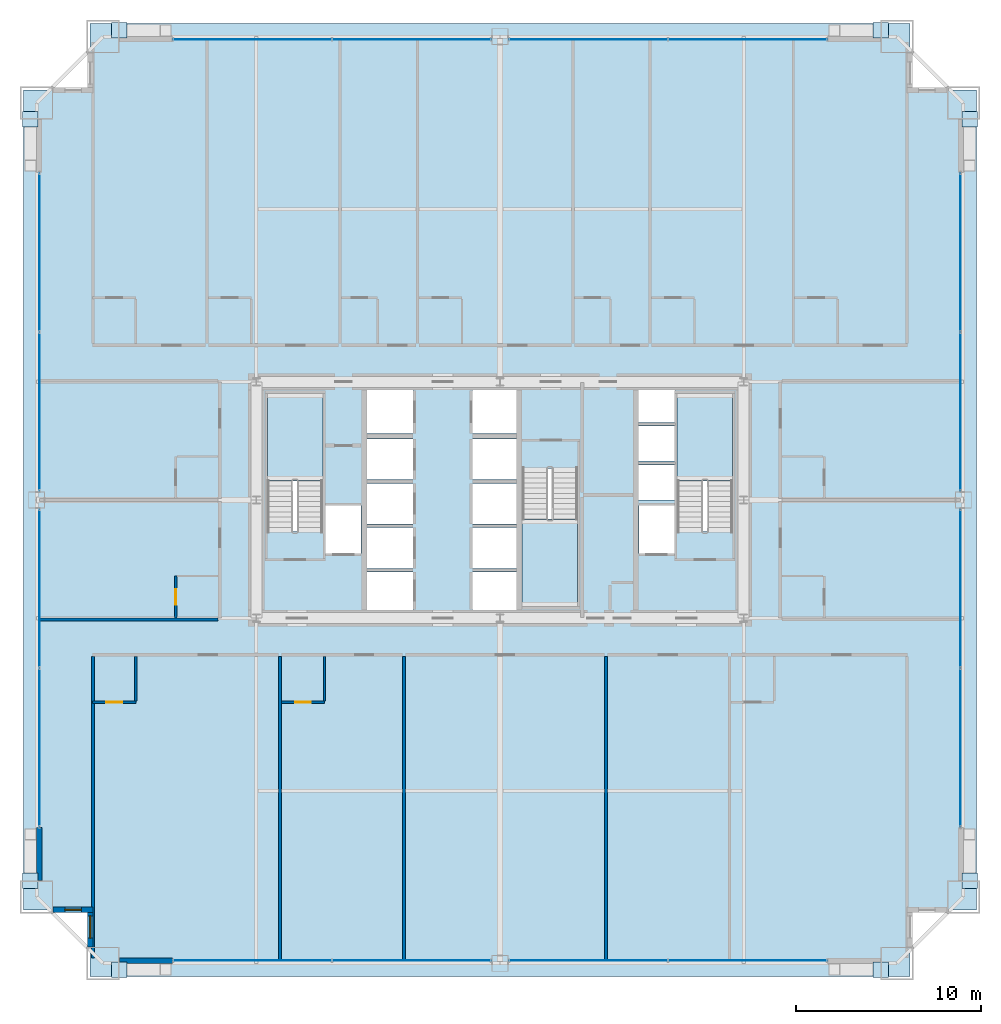
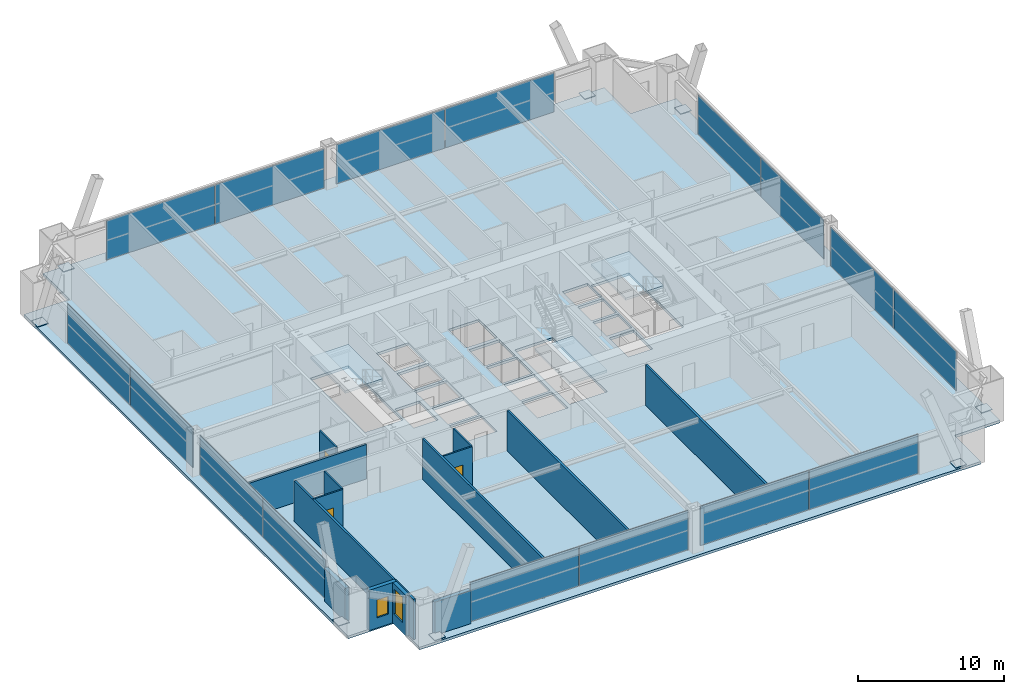
# One storey, part 38 of 43: 24 plates, 14 walls, 4 slabs, 3 doors, 2 windows, 5 openings, 11 elements without a shape of their own.
"""IFC4 building model written with IfcOpenShell, lengths in metres."""

from ifc_helpers import new_model, si_unit, direction, frame, frame_2d, origin, origin_2d, place, context, subcontext, project, spatial, polyline, rectangle, outline, extrude, source, transform, mapped, material, layer, layer_set, type_object, element, fill, aggregate, save


model = new_model("IFC4")

# Units and contexts
model_context = context("Model", 3, precision=1e-05, world=origin(), true_north=direction((0.0, 1.0)))
body_context = subcontext(model_context, "Body", "Model", "MODEL_VIEW")
ifc_project = project(units=[si_unit("LENGTHUNIT", "METRE"), si_unit("AREAUNIT", "SQUARE_METRE"), si_unit("VOLUMEUNIT", "CUBIC_METRE"), si_unit("PLANEANGLEUNIT", "RADIAN"), si_unit("MASSUNIT", "GRAM", prefix="KILO"), si_unit("THERMODYNAMICTEMPERATUREUNIT", "KELVIN"), si_unit("POWERUNIT", "WATT")], contexts=[model_context])

# Site, building, storey
site_placement = place(None, origin())
site = spatial("IfcSite", under=ifc_project, at=site_placement, CompositionType="ELEMENT")
building_placement = place(site_placement, origin())
building = spatial("IfcBuilding", under=site, at=building_placement, Name="Yuzanri Waterfront Tower", CompositionType="ELEMENT")
storey_placement = place(building_placement, frame((0.0, 0.0, 46.0)))
storey = spatial("IfcBuildingStorey", under=building, at=storey_placement, Name="L11", CompositionType="ELEMENT", Elevation=46.0)

# Stair, slab
ifc_material_1 = material(Name="Concrete C40", Category="concrete")
stair_type = type_object("IfcStairType", Name="Concrete C40 Core Dogleg Exit Stair", PredefinedType="HALF_TURN_STAIR", material=ifc_material_1)
stair_1_placement = place(storey_placement, origin())
stair_1 = element("IfcStair", 1, at=stair_1_placement, inside=storey, type_object=stair_type, Name="L11 Smoke-Proof Core Stair ST-01", PredefinedType="HALF_TURN_STAIR")
ifc_material_2 = material(Name="Concrete C40", Category="concrete")
ifc_layer_1 = layer(ifc_material_2, 0.179931640625)
ifc_layer_set_1 = layer_set([ifc_layer_1], Name="Concrete C40")
slab_type_1 = type_object("IfcSlabType", Name="Concrete C40 Stair Half-Landing Slab 180", PredefinedType="LANDING", material=ifc_layer_set_1)
slab_1_placement = place(storey_placement, frame((0.0, 0.0, 1.60009765625)))
slab_1 = element("IfcSlab", 2, at=slab_1_placement, type_object=slab_type_1, Name="ST-01 landing 1", PredefinedType="LANDING", context=body_context, shape_type="SweptSolid", body=[
    extrude(outline(polyline([(27.39990234375, 26.840087890625), (27.39990234375, 31.580078125), (24.39990234375, 31.580078125), (24.39990234375, 26.840087890625), (27.39990234375, 26.840087890625)])), origin(), (0.0, 0.0, 1.0), 0.199951171875),
])
aggregate(stair_1, [slab_1])

stair_2_placement = place(storey_placement, origin())
stair_2 = element("IfcStair", 3, at=stair_2_placement, inside=storey, type_object=stair_type, Name="L11 Smoke-Proof Core Stair ST-02", PredefinedType="HALF_TURN_STAIR")
slab_2_placement = place(storey_placement, frame((0.0, 0.0, 1.60009765625)))
slab_2 = element("IfcSlab", 4, at=slab_2_placement, type_object=slab_type_1, Name="ST-02 landing 1", PredefinedType="LANDING", context=body_context, shape_type="SweptSolid", body=[
    extrude(outline(polyline([(49.60009765625, 26.840087890625), (49.60009765625, 31.580078125), (46.60009765625, 31.580078125), (46.60009765625, 26.840087890625), (49.60009765625, 26.840087890625)])), origin(), (0.0, 0.0, 1.0), 0.199951171875),
])
aggregate(stair_2, [slab_2])

stair_3_placement = place(storey_placement, origin())
stair_3 = element("IfcStair", 5, at=stair_3_placement, inside=storey, type_object=stair_type, Name="L11 Smoke-Proof Core Stair ST-03", PredefinedType="HALF_TURN_STAIR")
slab_3_placement = place(storey_placement, frame((0.0, 0.0, 1.60009765625)))
slab_3 = element("IfcSlab", 6, at=slab_3_placement, type_object=slab_type_1, Name="ST-03 landing 1", PredefinedType="LANDING", context=body_context, shape_type="SweptSolid", body=[
    extrude(outline(polyline([(38.199951171875, 24.760009765625), (38.199951171875, 20.02001953125), (41.199951171875, 20.02001953125), (41.199951171875, 24.760009765625), (38.199951171875, 24.760009765625)])), origin(), (0.0, 0.0, 1.0), 0.199951171875),
])
aggregate(stair_3, [slab_3])

# Slab
ifc_material_3 = material(Name="Concrete C40", Category="concrete")
ifc_layer_2 = layer(ifc_material_3, 0.219970703125)
ifc_layer_set_2 = layer_set([ifc_layer_2], Name="Concrete C40")
slab_type_2 = type_object("IfcSlabType", Name="Concrete C40 Tower Typical Structural Floor Slab 220", PredefinedType="FLOOR", material=ifc_layer_set_2)
slab_4_placement = place(storey_placement, frame((0.0, 0.0, -0.219970703125)))
element("IfcSlab", 7, at=slab_4_placement, inside=storey, type_object=slab_type_2, Name="L11 Main Structural Floor Slab", PredefinedType="FLOOR", context=body_context, shape_type="SweptSolid", body=[
    extrude(outline(polyline([(14.800048828125, 0.0), (59.199951171875, 0.0), (59.199951171875, 3.60009765625), (62.800048828125, 3.60009765625), (62.800048828125, 48.0), (59.199951171875, 48.0), (59.199951171875, 51.60009765625), (14.800048828125, 51.60009765625), (14.800048828125, 48.0), (11.199951171875, 48.0), (11.199951171875, 3.60009765625), (14.800048828125, 3.60009765625), (14.800048828125, 0.0)]), holes=[polyline([(27.39990234375, 24.10009765625), (27.39990234375, 31.580078125), (24.39990234375, 31.580078125), (24.39990234375, 24.10009765625), (27.39990234375, 24.10009765625)]), polyline([(49.60009765625, 24.10009765625), (49.60009765625, 31.580078125), (46.60009765625, 31.580078125), (46.60009765625, 24.10009765625), (49.60009765625, 24.10009765625)]), polyline([(38.199951171875, 27.5), (38.199951171875, 20.02001953125), (41.199951171875, 20.02001953125), (41.199951171875, 27.5), (38.199951171875, 27.5)]), polyline([(27.56005859375, 22.89990234375), (29.47998046875, 22.89990234375), (29.47998046875, 25.5), (27.56005859375, 25.5), (27.56005859375, 22.89990234375)]), polyline([(44.52001953125, 22.89990234375), (46.43994140625, 22.89990234375), (46.43994140625, 25.5), (44.52001953125, 25.5), (44.52001953125, 22.89990234375)]), polyline([(29.800048828125, 19.699951171875), (32.300048828125, 19.699951171875), (32.300048828125, 21.89990234375), (29.800048828125, 21.89990234375), (29.800048828125, 19.699951171875)]), polyline([(29.800048828125, 22.10009765625), (32.300048828125, 22.10009765625), (32.300048828125, 24.300048828125), (29.800048828125, 24.300048828125), (29.800048828125, 22.10009765625)]), polyline([(29.800048828125, 24.5), (32.300048828125, 24.5), (32.300048828125, 26.699951171875), (29.800048828125, 26.699951171875), (29.800048828125, 24.5)]), polyline([(29.800048828125, 26.89990234375), (32.300048828125, 26.89990234375), (32.300048828125, 29.10009765625), (29.800048828125, 29.10009765625), (29.800048828125, 26.89990234375)]), polyline([(29.800048828125, 29.39990234375), (32.300048828125, 29.39990234375), (32.300048828125, 31.89990234375), (29.800048828125, 31.89990234375), (29.800048828125, 29.39990234375)]), polyline([(35.5, 19.699951171875), (37.89990234375, 19.699951171875), (37.89990234375, 21.89990234375), (35.5, 21.89990234375), (35.5, 19.699951171875)]), polyline([(35.5, 22.10009765625), (37.89990234375, 22.10009765625), (37.89990234375, 24.300048828125), (35.5, 24.300048828125), (35.5, 22.10009765625)]), polyline([(35.5, 24.5), (37.89990234375, 24.5), (37.89990234375, 26.699951171875), (35.5, 26.699951171875), (35.5, 24.5)]), polyline([(35.5, 26.89990234375), (37.89990234375, 26.89990234375), (37.89990234375, 29.10009765625), (35.5, 29.10009765625), (35.5, 26.89990234375)]), polyline([(35.5, 29.39990234375), (37.89990234375, 29.39990234375), (37.89990234375, 31.89990234375), (35.5, 31.89990234375), (35.5, 29.39990234375)]), polyline([(44.5, 25.800048828125), (46.5, 25.800048828125), (46.5, 27.699951171875), (44.5, 27.699951171875), (44.5, 25.800048828125)]), polyline([(44.5, 27.89990234375), (46.5, 27.89990234375), (46.5, 29.800048828125), (44.5, 29.800048828125), (44.5, 27.89990234375)]), polyline([(44.5, 30.0), (46.5, 30.0), (46.5, 31.89990234375), (44.5, 31.89990234375), (44.5, 30.0)])]), origin(), (0.0, 0.0, 1.0), 0.219970703125),
])

# Plates
ifc_material_4 = material(Name="Steel Q420GJC", Category="steel")
ifc_layer_3 = layer(ifc_material_4, 0.0400390625)
ifc_layer_set_3 = layer_set([ifc_layer_3], Name="Steel Q420GJC")
plate_type_1 = type_object("IfcPlateType", Name="Steel Q420GJC Mega-Brace Gusset and End-Cap Plate 40", PredefinedType="SHEET", material=ifc_layer_set_3)
shared_shape_1 = source(origin(), body_context, "Body", "SweptSolid", [
    extrude(rectangle(XDim=0.85009765625, YDim=0.85009765625, at=origin_2d()), origin(), (0.0, 0.0, 1.0), 0.0400390625),
])
for number, where, z_axis, x_axis, name in (
    (8, (16.3798828125, 0.360107421875, 0.159912109375), (0.0, 0.0, 1.0), (1.0, 0.0, 0.0), "L11 Mega-Brace Foot Cap Plate S-L"),
    (9, (57.6201171875, 0.360107421875, 0.159912109375), (0.0, 0.0, 1.0), (1.0, 0.0, 0.0), "L11 Mega-Brace Foot Cap Plate S-R"),
    (10, (16.3798828125, 51.239990234375, 0.159912109375), (0.0, 0.0, 1.0), (1.0, 0.0, 0.0), "L11 Mega-Brace Foot Cap Plate N-L"),
    (11, (57.6201171875, 51.239990234375, 0.159912109375), (0.0, 0.0, 1.0), (1.0, 0.0, 0.0), "L11 Mega-Brace Foot Cap Plate N-R"),
    (12, (11.56005859375, 5.179931640625, 0.159912109375), (0.0, 0.0, 1.0), (1.0, 0.0, 0.0), "L11 Mega-Brace Foot Cap Plate W-L"),
    (13, (11.56005859375, 46.419921875, 0.159912109375), (0.0, 0.0, 1.0), (1.0, 0.0, 0.0), "L11 Mega-Brace Foot Cap Plate W-R"),
    (14, (62.43994140625, 5.179931640625, 0.159912109375), (0.0, 0.0, 1.0), (1.0, 0.0, 0.0), "L11 Mega-Brace Foot Cap Plate E-L"),
    (15, (62.43994140625, 46.419921875, 0.159912109375), (0.0, 0.0, 1.0), (1.0, 0.0, 0.0), "L11 Mega-Brace Foot Cap Plate E-R"),
):
    element("IfcPlate", number, at=place(storey_placement, frame(where, z_axis=z_axis, x_axis=x_axis)), inside=storey, type_object=plate_type_1, Name=name, PredefinedType="SHEET", context=body_context, shape_type="MappedRepresentation", body=[
        mapped(shared_shape_1, transform((0.0, 0.0, 0.0), scale=1.0)),
    ])

# Curtain wall, plates
ifc_material_5 = material(Name="Anodized Architectural Bronze", Category="metal")
ifc_layer_4 = layer(ifc_material_5, 0.159912109375)
ifc_layer_set_4 = layer_set([ifc_layer_4], Name="Anodized Architectural Bronze")
curtain_wall_type = type_object("IfcCurtainWallType", Name="Anodized Bronze Hotel Lower-Tier Recessed Unitized Curtain Wall 8100", PredefinedType="NOTDEFINED", material=ifc_layer_set_4)
curtain_wall_1_placement = place(storey_placement, origin())
curtain_wall_1 = element("IfcCurtainWall", 16, at=curtain_wall_1_placement, inside=storey, type_object=curtain_wall_type, Name="L11 Curtain Wall CW-L11-SL", PredefinedType="NOTDEFINED")
ifc_material_6 = material(Name="Double-Silver Low-E Insulated Glass", Category="glass")
ifc_layer_5 = layer(ifc_material_6, 0.035888671875)
ifc_layer_set_5 = layer_set([ifc_layer_5], Name="Double-Silver Low-E Insulated Glass")
plate_type_2 = type_object("IfcPlateType", Name="Double Silver Low-E Insulated Vision Glass Panel 36", PredefinedType="CURTAIN_PANEL", material=ifc_layer_set_5)
shared_shape_2 = source(origin(), body_context, "Body", "SweptSolid", [
    extrude(rectangle(XDim=8.570068359375, YDim=0.035888671875, at=origin_2d()), origin(), (0.0, 0.0, 1.0), 3.280029296875),
])
plate_1_placement = place(storey_placement, frame((23.574951171875, 0.85009765625, 0.0498046875), z_axis=(0.0, 0.0, 1.0), x_axis=(1.0, 0.0, 0.0)))
plate_1 = element("IfcPlate", 17, at=plate_1_placement, type_object=plate_type_2, Name="CW-L11-SL Vision Glass Panel 01", PredefinedType="CURTAIN_PANEL", context=body_context, shape_type="MappedRepresentation", body=[
    mapped(shared_shape_2, transform((0.0, 0.0, 0.0), scale=1.0)),
])
plate_2_placement = place(storey_placement, frame((32.22509765625, 0.85009765625, 0.0498046875), z_axis=(0.0, 0.0, 1.0), x_axis=(1.0, 0.0, 0.0)))
plate_2 = element("IfcPlate", 18, at=plate_2_placement, type_object=plate_type_2, Name="CW-L11-SL Vision Glass Panel 02", PredefinedType="CURTAIN_PANEL", context=body_context, shape_type="MappedRepresentation", body=[
    mapped(shared_shape_2, transform((0.0, 0.0, 0.0), scale=1.0)),
])
aggregate(curtain_wall_1, [plate_1, plate_2])

curtain_wall_2_placement = place(storey_placement, origin())
curtain_wall_2 = element("IfcCurtainWall", 19, at=curtain_wall_2_placement, inside=storey, type_object=curtain_wall_type, Name="L11 Curtain Wall CW-L11-SR", PredefinedType="NOTDEFINED")
plate_3_placement = place(storey_placement, frame((41.77490234375, 0.85009765625, 0.0498046875), z_axis=(0.0, 0.0, 1.0), x_axis=(1.0, 0.0, 0.0)))
plate_3 = element("IfcPlate", 20, at=plate_3_placement, type_object=plate_type_2, Name="CW-L11-SR Vision Glass Panel 01", PredefinedType="CURTAIN_PANEL", context=body_context, shape_type="MappedRepresentation", body=[
    mapped(shared_shape_2, transform((0.0, 0.0, 0.0), scale=1.0)),
])
plate_4_placement = place(storey_placement, frame((50.425048828125, 0.85009765625, 0.0498046875), z_axis=(0.0, 0.0, 1.0), x_axis=(1.0, 0.0, 0.0)))
plate_4 = element("IfcPlate", 21, at=plate_4_placement, type_object=plate_type_2, Name="CW-L11-SR Vision Glass Panel 02", PredefinedType="CURTAIN_PANEL", context=body_context, shape_type="MappedRepresentation", body=[
    mapped(shared_shape_2, transform((0.0, 0.0, 0.0), scale=1.0)),
])
aggregate(curtain_wall_2, [plate_3, plate_4])

curtain_wall_3_placement = place(storey_placement, origin())
curtain_wall_3 = element("IfcCurtainWall", 22, at=curtain_wall_3_placement, inside=storey, type_object=curtain_wall_type, Name="L11 Curtain Wall CW-L11-NL", PredefinedType="NOTDEFINED")
plate_5_placement = place(storey_placement, frame((23.574951171875, 50.75, 0.0498046875), z_axis=(0.0, 0.0, 1.0), x_axis=(1.0, 0.0, 0.0)))
plate_5 = element("IfcPlate", 23, at=plate_5_placement, type_object=plate_type_2, Name="CW-L11-NL Vision Glass Panel 01", PredefinedType="CURTAIN_PANEL", context=body_context, shape_type="MappedRepresentation", body=[
    mapped(shared_shape_2, transform((0.0, 0.0, 0.0), scale=1.0)),
])
plate_6_placement = place(storey_placement, frame((32.22509765625, 50.75, 0.0498046875), z_axis=(0.0, 0.0, 1.0), x_axis=(1.0, 0.0, 0.0)))
plate_6 = element("IfcPlate", 24, at=plate_6_placement, type_object=plate_type_2, Name="CW-L11-NL Vision Glass Panel 02", PredefinedType="CURTAIN_PANEL", context=body_context, shape_type="MappedRepresentation", body=[
    mapped(shared_shape_2, transform((0.0, 0.0, 0.0), scale=1.0)),
])
aggregate(curtain_wall_3, [plate_5, plate_6])

curtain_wall_4_placement = place(storey_placement, origin())
curtain_wall_4 = element("IfcCurtainWall", 25, at=curtain_wall_4_placement, inside=storey, type_object=curtain_wall_type, Name="L11 Curtain Wall CW-L11-NR", PredefinedType="NOTDEFINED")
plate_7_placement = place(storey_placement, frame((41.77490234375, 50.75, 0.0498046875), z_axis=(0.0, 0.0, 1.0), x_axis=(1.0, 0.0, 0.0)))
plate_7 = element("IfcPlate", 26, at=plate_7_placement, type_object=plate_type_2, Name="CW-L11-NR Vision Glass Panel 01", PredefinedType="CURTAIN_PANEL", context=body_context, shape_type="MappedRepresentation", body=[
    mapped(shared_shape_2, transform((0.0, 0.0, 0.0), scale=1.0)),
])
plate_8_placement = place(storey_placement, frame((50.425048828125, 50.75, 0.0498046875), z_axis=(0.0, 0.0, 1.0), x_axis=(1.0, 0.0, 0.0)))
plate_8 = element("IfcPlate", 27, at=plate_8_placement, type_object=plate_type_2, Name="CW-L11-NR Vision Glass Panel 02", PredefinedType="CURTAIN_PANEL", context=body_context, shape_type="MappedRepresentation", body=[
    mapped(shared_shape_2, transform((0.0, 0.0, 0.0), scale=1.0)),
])
aggregate(curtain_wall_4, [plate_7, plate_8])

curtain_wall_5_placement = place(storey_placement, origin())
curtain_wall_5 = element("IfcCurtainWall", 28, at=curtain_wall_5_placement, inside=storey, type_object=curtain_wall_type, Name="L11 Curtain Wall CW-L11-WL", PredefinedType="NOTDEFINED")
plate_9_placement = place(storey_placement, frame((12.050048828125, 12.375, 0.0498046875), z_axis=(0.0, 0.0, 1.0), x_axis=(0.0, 1.0, 0.0)))
plate_9 = element("IfcPlate", 29, at=plate_9_placement, type_object=plate_type_2, Name="CW-L11-WL Vision Glass Panel 01", PredefinedType="CURTAIN_PANEL", context=body_context, shape_type="MappedRepresentation", body=[
    mapped(shared_shape_2, transform((0.0, 0.0, 0.0), scale=1.0)),
])
plate_10_placement = place(storey_placement, frame((12.050048828125, 21.02490234375, 0.0498046875), z_axis=(0.0, 0.0, 1.0), x_axis=(0.0, 1.0, 0.0)))
plate_10 = element("IfcPlate", 30, at=plate_10_placement, type_object=plate_type_2, Name="CW-L11-WL Vision Glass Panel 02", PredefinedType="CURTAIN_PANEL", context=body_context, shape_type="MappedRepresentation", body=[
    mapped(shared_shape_2, transform((0.0, 0.0, 0.0), scale=1.0)),
])
aggregate(curtain_wall_5, [plate_9, plate_10])

curtain_wall_6_placement = place(storey_placement, origin())
curtain_wall_6 = element("IfcCurtainWall", 31, at=curtain_wall_6_placement, inside=storey, type_object=curtain_wall_type, Name="L11 Curtain Wall CW-L11-WR", PredefinedType="NOTDEFINED")
plate_11_placement = place(storey_placement, frame((12.050048828125, 30.574951171875, 0.0498046875), z_axis=(0.0, 0.0, 1.0), x_axis=(0.0, 1.0, 0.0)))
plate_11 = element("IfcPlate", 32, at=plate_11_placement, type_object=plate_type_2, Name="CW-L11-WR Vision Glass Panel 01", PredefinedType="CURTAIN_PANEL", context=body_context, shape_type="MappedRepresentation", body=[
    mapped(shared_shape_2, transform((0.0, 0.0, 0.0), scale=1.0)),
])
plate_12_placement = place(storey_placement, frame((12.050048828125, 39.22509765625, 0.0498046875), z_axis=(0.0, 0.0, 1.0), x_axis=(0.0, 1.0, 0.0)))
plate_12 = element("IfcPlate", 33, at=plate_12_placement, type_object=plate_type_2, Name="CW-L11-WR Vision Glass Panel 02", PredefinedType="CURTAIN_PANEL", context=body_context, shape_type="MappedRepresentation", body=[
    mapped(shared_shape_2, transform((0.0, 0.0, 0.0), scale=1.0)),
])
aggregate(curtain_wall_6, [plate_11, plate_12])

curtain_wall_7_placement = place(storey_placement, origin())
curtain_wall_7 = element("IfcCurtainWall", 34, at=curtain_wall_7_placement, inside=storey, type_object=curtain_wall_type, Name="L11 Curtain Wall CW-L11-EL", PredefinedType="NOTDEFINED")
plate_13_placement = place(storey_placement, frame((61.949951171875, 12.375, 0.0498046875), z_axis=(0.0, 0.0, 1.0), x_axis=(0.0, 1.0, 0.0)))
plate_13 = element("IfcPlate", 35, at=plate_13_placement, type_object=plate_type_2, Name="CW-L11-EL Vision Glass Panel 01", PredefinedType="CURTAIN_PANEL", context=body_context, shape_type="MappedRepresentation", body=[
    mapped(shared_shape_2, transform((0.0, 0.0, 0.0), scale=1.0)),
])
plate_14_placement = place(storey_placement, frame((61.949951171875, 21.02490234375, 0.0498046875), z_axis=(0.0, 0.0, 1.0), x_axis=(0.0, 1.0, 0.0)))
plate_14 = element("IfcPlate", 36, at=plate_14_placement, type_object=plate_type_2, Name="CW-L11-EL Vision Glass Panel 02", PredefinedType="CURTAIN_PANEL", context=body_context, shape_type="MappedRepresentation", body=[
    mapped(shared_shape_2, transform((0.0, 0.0, 0.0), scale=1.0)),
])
aggregate(curtain_wall_7, [plate_13, plate_14])

curtain_wall_8_placement = place(storey_placement, origin())
curtain_wall_8 = element("IfcCurtainWall", 37, at=curtain_wall_8_placement, inside=storey, type_object=curtain_wall_type, Name="L11 Curtain Wall CW-L11-ER", PredefinedType="NOTDEFINED")
plate_15_placement = place(storey_placement, frame((61.949951171875, 30.574951171875, 0.0498046875), z_axis=(0.0, 0.0, 1.0), x_axis=(0.0, 1.0, 0.0)))
plate_15 = element("IfcPlate", 38, at=plate_15_placement, type_object=plate_type_2, Name="CW-L11-ER Vision Glass Panel 01", PredefinedType="CURTAIN_PANEL", context=body_context, shape_type="MappedRepresentation", body=[
    mapped(shared_shape_2, transform((0.0, 0.0, 0.0), scale=1.0)),
])
plate_16_placement = place(storey_placement, frame((61.949951171875, 39.22509765625, 0.0498046875), z_axis=(0.0, 0.0, 1.0), x_axis=(0.0, 1.0, 0.0)))
plate_16 = element("IfcPlate", 39, at=plate_16_placement, type_object=plate_type_2, Name="CW-L11-ER Vision Glass Panel 02", PredefinedType="CURTAIN_PANEL", context=body_context, shape_type="MappedRepresentation", body=[
    mapped(shared_shape_2, transform((0.0, 0.0, 0.0), scale=1.0)),
])
aggregate(curtain_wall_8, [plate_15, plate_16])

# Wall, opening, door
ifc_material_7 = material(Name="Moisture-Resistant Gypsum Stud Wall", Category="gypsum")
ifc_layer_6 = layer(ifc_material_7, 0.1201171875)
ifc_layer_set_6 = layer_set([ifc_layer_6], Name="Moisture-Resistant Gypsum Stud Wall")
wall_type_1 = type_object("IfcWallType", Name="Bathroom and Kitchen Wet Partition 120", PredefinedType="PARTITIONING", material=ifc_layer_set_6)
wall_1_placement = place(storey_placement, frame((14.93994140625, 14.840087890625, 0.0), z_axis=(0.0, 0.0, 1.0), x_axis=(1.0, 0.0, 0.0)))
wall_1 = element("IfcWall", 40, at=wall_1_placement, inside=storey, type_object=wall_type_1, Name="L11 Partition UW-L11-S1-BS", PredefinedType="PARTITIONING", context=body_context, shape_type="SweptSolid", body=[
    extrude(rectangle(XDim=2.330078125, YDim=0.1201171875, at=frame_2d((1.1650390625, 0.0))), origin(), (0.0, 0.0, 1.0), 3.3798828125),
])
opening_1_placement = place(wall_1_placement, frame((0.739990234375, 0.0, 0.0)))
opening_1 = element("IfcOpeningElement", 41, at=opening_1_placement, cuts=wall_1, Name="Opening ID-0850", PredefinedType="OPENING", context=body_context, shape_type="SweptSolid", body=[
    extrude(rectangle(XDim=0.85009765625, YDim=2.10009765625, at=frame_2d((0.425048828125, 1.050048828125))), frame((0.0, 0.074951171875, 0.0), z_axis=(0.0, -1.0, 0.0), x_axis=(1.0, 0.0, 0.0)), (0.0, 0.0, 1.0), 0.14990234375),
])
ifc_material_8 = material(Name="Moisture-Resistant Lacquered Timber", Category="wood")
door_type = type_object("IfcDoorType", Name="En-Suite Bathroom and Kitchen Swing Door 850x2100", OperationType="NOTDEFINED", PredefinedType="DOOR", material=ifc_material_8)
shared_shape_3 = source(origin(), body_context, "Body", "SweptSolid", [
    extrude(rectangle(XDim=0.85009765625, YDim=2.10009765625, at=frame_2d((0.425048828125, 1.050048828125))), frame((0.0, 0.02490234375, 0.0), z_axis=(0.0, -1.0, 0.0), x_axis=(1.0, 0.0, 0.0)), (0.0, 0.0, 1.0), 0.050048828125),
])
door_1_placement = place(opening_1_placement, origin())
door_1 = element("IfcDoor", 42, at=door_1_placement, inside=storey, type_object=door_type, Name="L11 Guest En-Suite Door", OperationType="SINGLE_SWING_LEFT", OverallHeight=2.10009765625, OverallWidth=0.85009765625, PredefinedType="DOOR", context=body_context, shape_type="MappedRepresentation", body=[
    mapped(shared_shape_3, transform((0.0, 0.0, 0.0), scale=1.0)),
])
fill(opening_1, door_1)

wall_2_placement = place(storey_placement, frame((25.16796875, 14.840087890625, 0.0), z_axis=(0.0, 0.0, 1.0), x_axis=(1.0, 0.0, 0.0)))
wall_2 = element("IfcWall", 43, at=wall_2_placement, inside=storey, type_object=wall_type_1, Name="L11 Partition UW-L11-S2-BS", PredefinedType="PARTITIONING", context=body_context, shape_type="SweptSolid", body=[
    extrude(rectangle(XDim=2.330078125, YDim=0.1201171875, at=frame_2d((1.1650390625, 0.0))), origin(), (0.0, 0.0, 1.0), 3.3798828125),
])
opening_2_placement = place(wall_2_placement, frame((0.739990234375, 0.0, 0.0)))
opening_2 = element("IfcOpeningElement", 44, at=opening_2_placement, cuts=wall_2, Name="Opening ID-0850", PredefinedType="OPENING", context=body_context, shape_type="SweptSolid", body=[
    extrude(rectangle(XDim=0.85009765625, YDim=2.10009765625, at=frame_2d((0.425048828125, 1.050048828125))), frame((0.0, 0.074951171875, 0.0), z_axis=(0.0, -1.0, 0.0), x_axis=(1.0, 0.0, 0.0)), (0.0, 0.0, 1.0), 0.14990234375),
])
door_2_placement = place(opening_2_placement, origin())
door_2 = element("IfcDoor", 45, at=door_2_placement, inside=storey, type_object=door_type, Name="L11 Guest En-Suite Door", OperationType="SINGLE_SWING_LEFT", OverallHeight=2.10009765625, OverallWidth=0.85009765625, PredefinedType="DOOR", context=body_context, shape_type="MappedRepresentation", body=[
    mapped(shared_shape_3, transform((0.0, 0.0, 0.0), scale=1.0)),
])
fill(opening_2, door_2)

wall_3_placement = place(storey_placement, frame((19.43994140625, 19.409912109375, 0.0), z_axis=(0.0, 0.0, 1.0), x_axis=(0.0, 1.0, 0.0)))
wall_3 = element("IfcWall", 46, at=wall_3_placement, inside=storey, type_object=wall_type_1, Name="L11 Partition UW-L11-W1-BW", PredefinedType="PARTITIONING", context=body_context, shape_type="SweptSolid", body=[
    extrude(rectangle(XDim=2.280029296875, YDim=0.1201171875, at=frame_2d((1.14013671875, 0.0))), origin(), (0.0, 0.0, 1.0), 3.3798828125),
])
opening_3_placement = place(wall_3_placement, frame((0.715087890625, 0.0, 0.0)))
opening_3 = element("IfcOpeningElement", 47, at=opening_3_placement, cuts=wall_3, Name="Opening ID-0850", PredefinedType="OPENING", context=body_context, shape_type="SweptSolid", body=[
    extrude(rectangle(XDim=0.85009765625, YDim=2.10009765625, at=frame_2d((0.425048828125, 1.050048828125))), frame((0.0, 0.074951171875, 0.0), z_axis=(0.0, -1.0, 0.0), x_axis=(1.0, 0.0, 0.0)), (0.0, 0.0, 1.0), 0.14990234375),
])
door_3_placement = place(opening_3_placement, origin())
door_3 = element("IfcDoor", 48, at=door_3_placement, inside=storey, type_object=door_type, Name="L11 Guest En-Suite Door", OperationType="SINGLE_SWING_LEFT", OverallHeight=2.10009765625, OverallWidth=0.85009765625, PredefinedType="DOOR", context=body_context, shape_type="MappedRepresentation", body=[
    mapped(shared_shape_3, transform((0.0, 0.0, 0.0), scale=1.0)),
])
fill(opening_3, door_3)

# Wall, opening, window
ifc_material_9 = material(Name="Honed Chongqing Dark Basalt Stone", Category="masonry")
ifc_layer_7 = layer(ifc_material_9, 0.300048828125)
ifc_layer_set_7 = layer_set([ifc_layer_7], Name="Honed Chongqing Dark Basalt Stone")
wall_type_2 = type_object("IfcWallType", Name="Bronze Rainscreen Insulated Spandrel Portal Wall 300", PredefinedType="SOLIDWALL", material=ifc_layer_set_7)
wall_4_placement = place(storey_placement, frame((12.800048828125, 3.60009765625, 0.0), z_axis=(0.0, 0.0, 1.0), x_axis=(1.0, 0.0, 0.0)))
wall_4 = element("IfcWall", 49, at=wall_4_placement, inside=storey, type_object=wall_type_2, Name="L11 Notched Corner Masonry Wall SW-X", PredefinedType="SOLIDWALL", context=body_context, shape_type="SweptSolid", body=[
    extrude(rectangle(XDim=2.14990234375, YDim=0.300048828125, at=frame_2d((1.074951171875, 0.0))), origin(), (0.0, 0.0, 1.0), 3.3798828125),
])
opening_4_placement = place(wall_4_placement, frame((0.625, 0.0, 0.85009765625)))
opening_4 = element("IfcOpeningElement", 50, at=opening_4_placement, cuts=wall_4, Name="Opening WN-05", PredefinedType="OPENING", context=body_context, shape_type="SweptSolid", body=[
    extrude(rectangle(XDim=0.89990234375, YDim=1.5, at=frame_2d((0.449951171875, 0.75))), frame((0.0, 0.1650390625, 0.0), z_axis=(0.0, -1.0, 0.0), x_axis=(1.0, 0.0, 0.0)), (0.0, 0.0, 1.0), 0.329833984375),
])
ifc_material_10 = material(Name="Double-Silver Low-E Insulated Glass", Category="glass")
window_type_1 = type_object("IfcWindowType", Name="Anodized Bronze Service and Stairwell Smoke-Vent Window 900x1500", PartitioningType="SINGLE_PANEL", PredefinedType="WINDOW", material=ifc_material_10)
shared_shape_4 = source(origin(), body_context, "Body", "SweptSolid", [
    extrude(rectangle(XDim=0.89990234375, YDim=1.5, at=frame_2d((0.449951171875, 0.75))), frame((0.0, 0.030029296875, 0.0), z_axis=(0.0, -1.0, 0.0), x_axis=(1.0, 0.0, 0.0)), (0.0, 0.0, 1.0), 0.06005859375),
])
window_1_placement = place(opening_4_placement, origin())
window_1 = element("IfcWindow", 51, at=window_1_placement, inside=storey, type_object=window_type_1, Name="L11 Notched Corner Window SW-X", OverallHeight=1.5, OverallWidth=0.89990234375, PartitioningType="SINGLE_PANEL", PredefinedType="WINDOW", context=body_context, shape_type="MappedRepresentation", body=[
    mapped(shared_shape_4, transform((0.0, 0.0, 0.0), scale=1.0)),
])
fill(opening_4, window_1)

wall_5_placement = place(storey_placement, frame((14.800048828125, 3.75, 0.0), z_axis=(0.0, 0.0, 1.0), x_axis=(0.0, -1.0, 0.0)))
wall_5 = element("IfcWall", 52, at=wall_5_placement, inside=storey, type_object=wall_type_2, Name="L11 Notched Corner Masonry Wall SW-Y", PredefinedType="SOLIDWALL", context=body_context, shape_type="SweptSolid", body=[
    extrude(rectangle(XDim=2.14990234375, YDim=0.300048828125, at=frame_2d((1.074951171875, 0.0))), origin(), (0.0, 0.0, 1.0), 3.3798828125),
])
opening_5_placement = place(wall_5_placement, frame((0.47509765625, 0.0, 0.85009765625)))
opening_5 = element("IfcOpeningElement", 53, at=opening_5_placement, cuts=wall_5, Name="Opening WN-02", PredefinedType="OPENING", context=body_context, shape_type="SweptSolid", body=[
    extrude(rectangle(XDim=1.199951171875, YDim=2.10009765625, at=frame_2d((0.60009765625, 1.050048828125))), frame((0.0, 0.1650390625, 0.0), z_axis=(0.0, -1.0, 0.0), x_axis=(1.0, 0.0, 0.0)), (0.0, 0.0, 1.0), 0.329833984375),
])
ifc_material_11 = material(Name="Double-Silver Low-E Insulated Glass", Category="glass")
window_type_2 = type_object("IfcWindowType", Name="Anodized Bronze Notched Corner Deep-Set Slot Window 1200x2100", PartitioningType="SINGLE_PANEL", PredefinedType="WINDOW", material=ifc_material_11)
shared_shape_5 = source(origin(), body_context, "Body", "SweptSolid", [
    extrude(rectangle(XDim=1.199951171875, YDim=2.10009765625, at=frame_2d((0.60009765625, 1.050048828125))), frame((0.0, 0.030029296875, 0.0), z_axis=(0.0, -1.0, 0.0), x_axis=(1.0, 0.0, 0.0)), (0.0, 0.0, 1.0), 0.06005859375),
])
window_2_placement = place(opening_5_placement, origin())
window_2 = element("IfcWindow", 54, at=window_2_placement, inside=storey, type_object=window_type_2, Name="L11 Notched Corner Window SW-Y", OverallHeight=2.10009765625, OverallWidth=1.199951171875, PartitioningType="SINGLE_PANEL", PredefinedType="WINDOW", context=body_context, shape_type="MappedRepresentation", body=[
    mapped(shared_shape_5, transform((0.0, 0.0, 0.0), scale=1.0)),
])
fill(opening_5, window_2)

# Walls
shared_shape_6 = source(origin(), body_context, "Body", "SweptSolid", [
    extrude(rectangle(XDim=2.85009765625, YDim=0.300048828125, at=frame_2d((1.425048828125, 0.0))), origin(), (0.0, 0.0, 1.0), 2.77490234375),
])
for number, where, z_axis, x_axis, name in (
    (55, (16.39990234375, 0.85009765625, 0.0), (0.0, 0.0, 1.0), (1.0, 0.0, 0.0), "L11 S Left Braced Masonry Shoulder"),
    (56, (12.050048828125, 5.199951171875, 0.0), (0.0, 0.0, 1.0), (0.0, 1.0, 0.0), "L11 W Left Braced Masonry Shoulder"),
):
    element("IfcWall", number, at=place(storey_placement, frame(where, z_axis=z_axis, x_axis=x_axis)), inside=storey, type_object=wall_type_2, Name=name, PredefinedType="SOLIDWALL", context=body_context, shape_type="MappedRepresentation", body=[
        mapped(shared_shape_6, transform((0.0, 0.0, 0.0), scale=1.0)),
    ])
ifc_material_12 = material(Name="Gypsum Fireboard Acoustic Stud Wall", Category="gypsum")
ifc_layer_8 = layer(ifc_material_12, 0.159912109375)
ifc_layer_set_8 = layer_set([ifc_layer_8], Name="Gypsum Fireboard Acoustic Stud Wall")
wall_type_3 = type_object("IfcWallType", Name="Acoustic Suite Demising Partition 160", PredefinedType="PARTITIONING", material=ifc_layer_set_8)
shared_shape_7 = source(origin(), body_context, "Body", "SweptSolid", [
    extrude(rectangle(XDim=16.469970703125, YDim=0.159912109375, at=frame_2d((8.23486328125, 0.0))), origin(), (0.0, 0.0, 1.0), 3.3798828125),
])
for number, where, z_axis, x_axis, name in (
    (57, (25.087890625, 0.85009765625, 0.0), (0.0, 0.0, 1.0), (0.0, 1.0, 0.0), "L11-S1 Party Wall"),
    (58, (31.7939453125, 0.85009765625, 0.0), (0.0, 0.0, 1.0), (0.0, 1.0, 0.0), "L11-S2 Party Wall"),
    (59, (42.736083984375, 0.85009765625, 0.0), (0.0, 0.0, 1.0), (0.0, 1.0, 0.0), "L11-S3 Party Wall"),
):
    element("IfcWall", number, at=place(storey_placement, frame(where, z_axis=z_axis, x_axis=x_axis)), inside=storey, type_object=wall_type_3, Name=name, PredefinedType="PARTITIONING", context=body_context, shape_type="MappedRepresentation", body=[
        mapped(shared_shape_7, transform((0.0, 0.0, 0.0), scale=1.0)),
    ])
shared_shape_8 = source(origin(), body_context, "Body", "SweptSolid", [
    extrude(rectangle(XDim=2.420166015625, YDim=0.1201171875, at=frame_2d((1.2099609375, 0.0))), origin(), (0.0, 0.0, 1.0), 3.3798828125),
])
for number, where, z_axis, x_axis, name in (
    (60, (17.27001953125, 14.89990234375, 0.0), (0.0, 0.0, 1.0), (0.0, 1.0, 0.0), "L11-S1 En-Suite Side Wall"),
    (61, (27.498046875, 14.89990234375, 0.0), (0.0, 0.0, 1.0), (0.0, 1.0, 0.0), "L11-S2 En-Suite Side Wall"),
):
    element("IfcWall", number, at=place(storey_placement, frame(where, z_axis=z_axis, x_axis=x_axis)), inside=storey, type_object=wall_type_1, Name=name, PredefinedType="PARTITIONING", context=body_context, shape_type="MappedRepresentation", body=[
        mapped(shared_shape_8, transform((0.0, 0.0, 0.0), scale=1.0)),
    ])
shared_shape_9 = source(origin(), body_context, "Body", "SweptSolid", [
    extrude(rectangle(XDim=16.320068359375, YDim=0.159912109375, at=frame_2d((8.16015625, 0.0))), origin(), (0.0, 0.0, 1.0), 3.3798828125),
])
wall_6_placement = place(storey_placement, frame((14.949951171875, 1.0, 0.0), z_axis=(0.0, 0.0, 1.0), x_axis=(0.0, 1.0, 0.0)))
element("IfcWall", 62, at=wall_6_placement, inside=storey, type_object=wall_type_3, Name="L11 South Band West End Wall", PredefinedType="PARTITIONING", context=body_context, shape_type="MappedRepresentation", body=[
    mapped(shared_shape_9, transform((0.0, 0.0, 0.0), scale=1.0)),
])
shared_shape_10 = source(origin(), body_context, "Body", "SweptSolid", [
    extrude(rectangle(XDim=9.669921875, YDim=0.159912109375, at=frame_2d((4.8349609375, 0.0))), origin(), (0.0, 0.0, 1.0), 2.875),
])
wall_7_placement = place(storey_placement, frame((12.050048828125, 19.330078125, 0.0), z_axis=(0.0, 0.0, 1.0), x_axis=(1.0, 0.0, 0.0)))
element("IfcWall", 63, at=wall_7_placement, inside=storey, type_object=wall_type_3, Name="L11-W1 Wing South End Wall", PredefinedType="PARTITIONING", context=body_context, shape_type="MappedRepresentation", body=[
    mapped(shared_shape_10, transform((0.0, 0.0, 0.0), scale=1.0)),
])

save(model, "model.ifc")
